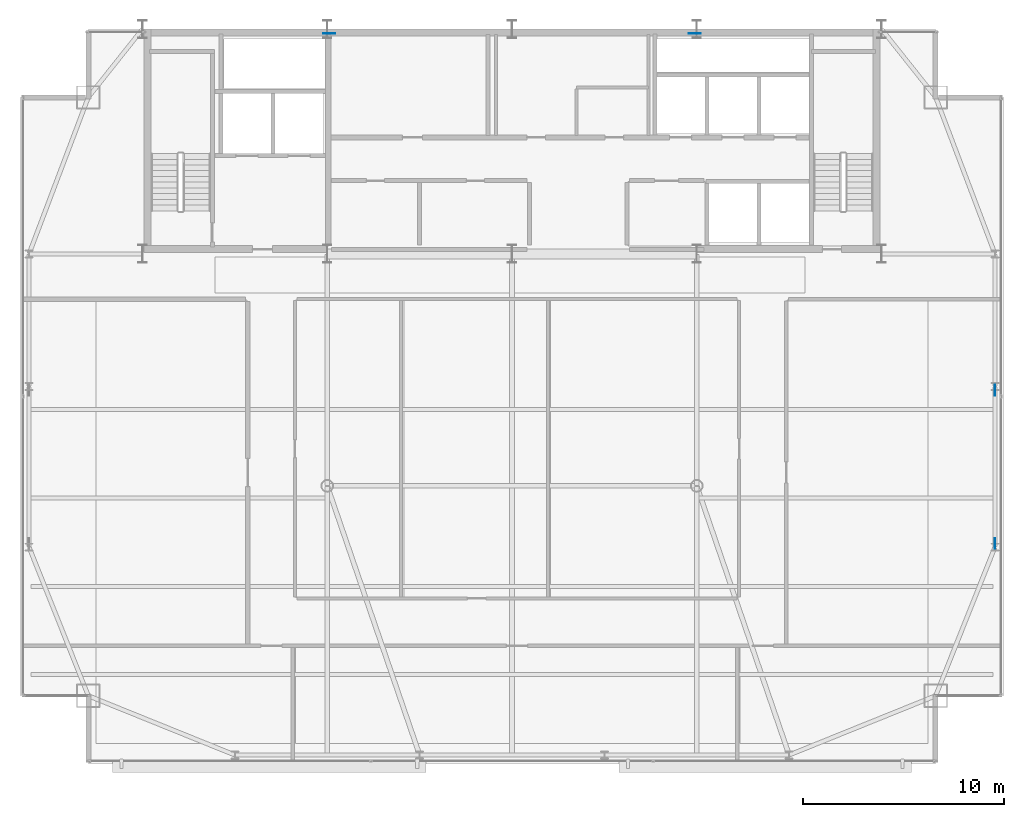
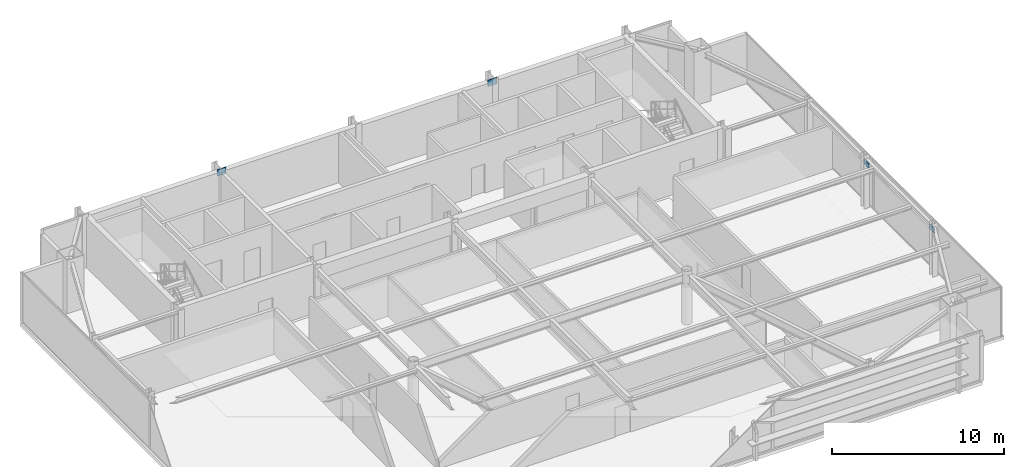
# One storey, part 21 of 25: 4 plates.
"""IFC4 building model written with IfcOpenShell, lengths in metres."""

from ifc_helpers import new_model, si_unit, direction, frame, origin, origin_2d, place, context, subcontext, project, spatial, rectangle, extrude, source, transform, mapped, material, layer, layer_set, type_object, type_shapes, element, save


model = new_model("IFC4")

# Units and contexts
model_context = context("Model", 3, precision=1e-05, world=origin(), true_north=direction((0.0, 1.0)))
body_context = subcontext(model_context, "Body", "Model", "MODEL_VIEW")
ifc_project = project(units=[si_unit("LENGTHUNIT", "METRE"), si_unit("AREAUNIT", "SQUARE_METRE"), si_unit("VOLUMEUNIT", "CUBIC_METRE"), si_unit("PLANEANGLEUNIT", "RADIAN"), si_unit("MASSUNIT", "GRAM", prefix="KILO")], contexts=[model_context])

# Site, building, storey
site_placement = place(None, origin())
site = spatial("IfcSite", under=ifc_project, at=site_placement, CompositionType="ELEMENT")
building_placement = place(site_placement, origin())
building = spatial("IfcBuilding", under=site, at=building_placement, Name="Varnel Quay Broadcast Tower", CompositionType="ELEMENT")
storey_placement = place(building_placement, frame((0.0, 0.0, 226.39990234375)))
storey = spatial("IfcBuildingStorey", under=building, at=storey_placement, Name="L56", CompositionType="ELEMENT", Elevation=226.39990234375)

# Plates
ifc_material = material(Name="Structural Steel CSA G40.21 350WT", Category="steel")
ifc_layer_1 = layer(ifc_material, 0.031982421875, Name="Structural Steel CSA G40.21 350WT")
ifc_layer_set_1 = layer_set([ifc_layer_1], Name="Structural Steel CSA G40.21 350WT")
plate_type_1 = type_object("IfcPlateType", Name="Plate_EndCap", PredefinedType="USERDEFINED", material=ifc_layer_set_1)
shared_shape_1 = source(origin(), body_context, "Body", "SweptSolid", [
    extrude(rectangle(XDim=0.5400390625, YDim=0.031982421875, at=origin_2d()), origin(), (0.0, 0.0, 1.0), 0.3798828125),
])
type_shapes(plate_type_1, [shared_shape_1])
for number, where, z_axis, x_axis, name in (
    (1, (58.050048828125, 28.8203125, 3.00537109375), (0.0, 0.0, 1.0), (0.0, 1.0, 0.0), "Zone 4 Mega-Brace E-FT2 Diag A End Connection Plate P1"),
    (2, (58.050048828125, 21.1796875, 3.00537109375), (0.0, 0.0, 1.0), (0.0, 1.0, 0.0), "Zone 4 Mega-Brace E-FT2 Diag B2 End Connection Plate P1"),
):
    element("IfcPlate", number, at=place(storey_placement, frame(where, z_axis=z_axis, x_axis=x_axis)), inside=storey, type_object=plate_type_1, Name=name, ObjectType="CAP_PLATE", PredefinedType="USERDEFINED", context=body_context, shape_type="MappedRepresentation", body=[
        mapped(shared_shape_1, transform((0.0, 0.0, 0.0), x_axis=(1.0, 0.0, 0.0), y_axis=(0.0, 1.0, 0.0), z_axis=(0.0, 0.0, 1.0), scale=1.0)),
    ])
ifc_layer_2 = layer(ifc_material, 0.0400390625, Name="Structural Steel CSA G40.21 350WT")
ifc_layer_set_2 = layer_set([ifc_layer_2], Name="Structural Steel CSA G40.21 350WT")
plate_type_2 = type_object("IfcPlateType", Name="Plate_EmbedPlate", PredefinedType="USERDEFINED", material=ifc_layer_set_2)
shared_shape_2 = source(origin(), body_context, "Body", "SweptSolid", [
    extrude(rectangle(XDim=0.60009765625, YDim=0.0400390625, at=origin_2d()), origin(), (0.0, 0.0, 1.0), 0.449951171875),
])
type_shapes(plate_type_2, [shared_shape_2])
for number, where, z_axis, x_axis, name in (
    (3, (43.106689453125, 46.580078125, 3.2294921875), (0.0, 0.0, 1.0), (1.0, 0.0, 0.0), "Zone 4 Mega-Brace N-CT2 Diag A Wall Cast-In Embed Plate P1"),
    (4, (24.893310546875, 46.580078125, 3.2294921875), (0.0, 0.0, 1.0), (1.0, 0.0, 0.0), "Zone 4 Mega-Brace N-CT2 Diag B2 Wall Cast-In Embed Plate P1"),
):
    element("IfcPlate", number, at=place(storey_placement, frame(where, z_axis=z_axis, x_axis=x_axis)), inside=storey, type_object=plate_type_2, Name=name, ObjectType="EMBED_PLATE", PredefinedType="USERDEFINED", context=body_context, shape_type="MappedRepresentation", body=[
        mapped(shared_shape_2, transform((0.0, 0.0, 0.0), x_axis=(1.0, 0.0, 0.0), y_axis=(0.0, 1.0, 0.0), z_axis=(0.0, 0.0, 1.0), scale=1.0)),
    ])

save(model, "model.ifc")
